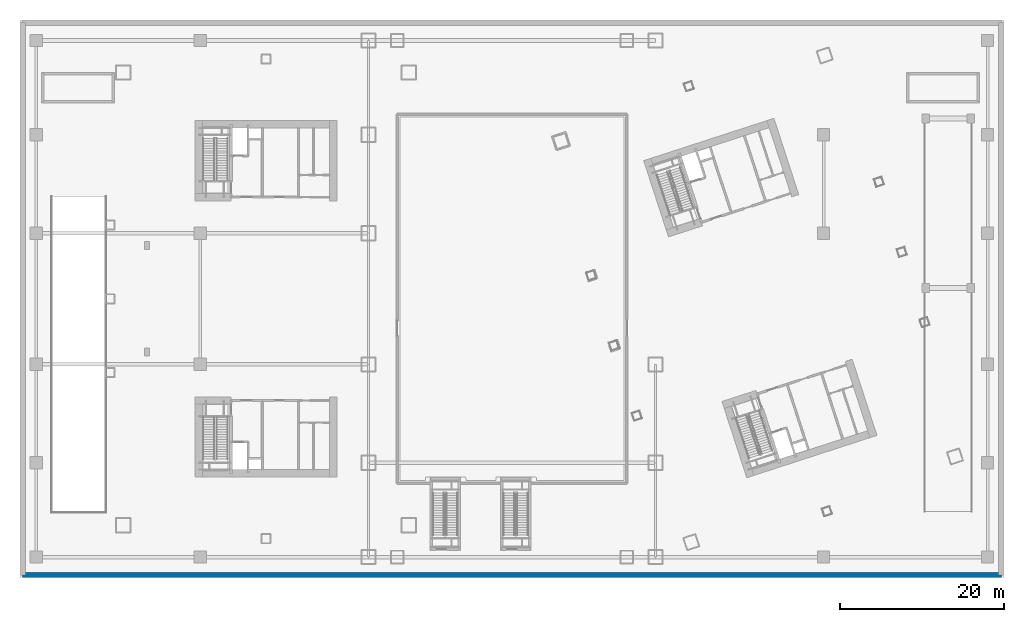
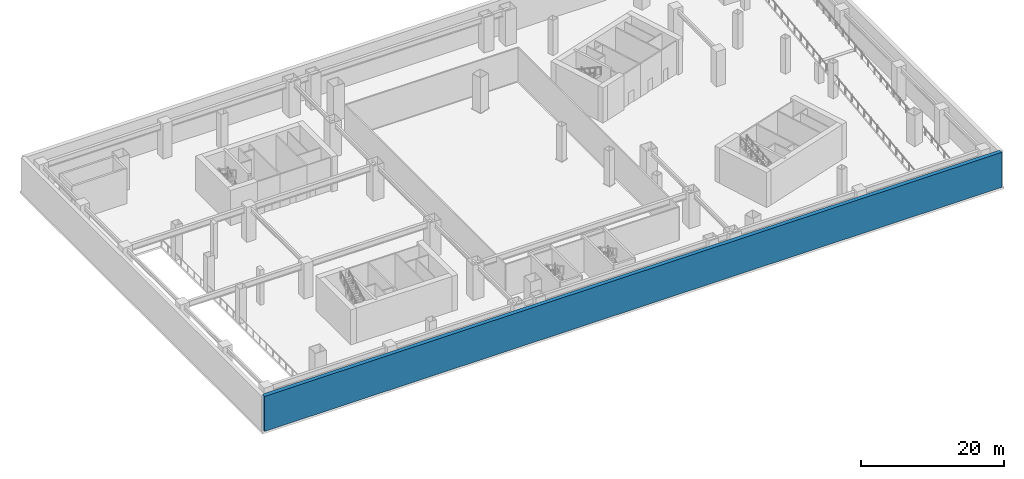
# One storey, part 6 of 20: 1 wall.
"""IFC4 building model written with IfcOpenShell, lengths in metres."""

from ifc_helpers import new_model, si_unit, direction, frame, frame_2d, origin, place, context, subcontext, project, spatial, rectangle, extrude, material, layer, layer_set, type_object, element, save


model = new_model("IFC4")

# Units and contexts
model_context = context("Model", 3, precision=1e-05, world=origin(), true_north=direction((0.0, 1.0)))
body_context = subcontext(model_context, "Body", "Model", "MODEL_VIEW")
ifc_project = project(units=[si_unit("LENGTHUNIT", "METRE"), si_unit("AREAUNIT", "SQUARE_METRE"), si_unit("VOLUMEUNIT", "CUBIC_METRE"), si_unit("PLANEANGLEUNIT", "RADIAN"), si_unit("MASSUNIT", "GRAM", prefix="KILO")], contexts=[model_context])

# Site, building, storey
site_placement = place(None, origin())
site = spatial("IfcSite", under=ifc_project, at=site_placement, CompositionType="ELEMENT")
building_placement = place(site_placement, origin())
building = spatial("IfcBuilding", under=site, at=building_placement, Name="Qiaolan Cultural Towers", CompositionType="ELEMENT")
storey_placement = place(building_placement, frame((0.0, 0.0, -6.0)))
storey = spatial("IfcBuildingStorey", under=building, at=storey_placement, Name="B1", CompositionType="ELEMENT", Elevation=-6.0)

# Wall
ifc_material = material(Name="Concrete C50", Category="concrete")
ifc_layer = layer(ifc_material, 0.64990234375)
ifc_layer_set = layer_set([ifc_layer], Name="Concrete C50")
wall_type = type_object("IfcWallType", Name="WL-RET-650", PredefinedType="SHEAR", material=ifc_layer_set)
wall_placement = place(storey_placement, frame((0.324951171875, 0.324951171875, 0.0), z_axis=(0.0, 0.0, 1.0), x_axis=(1.0, 0.0, 0.0)))
element("IfcWall", 1, at=wall_placement, inside=storey, type_object=wall_type, Name="B1 Basement Retaining Wall SOUTH", PredefinedType="SHEAR", context=body_context, shape_type="SweptSolid", body=[
    extrude(rectangle(XDim=119.35009765625, YDim=0.64990234375, at=frame_2d((59.675048828125, 0.0))), origin(), (0.0, 0.0, 1.0), 6.0),
])

save(model, "model.ifc")
